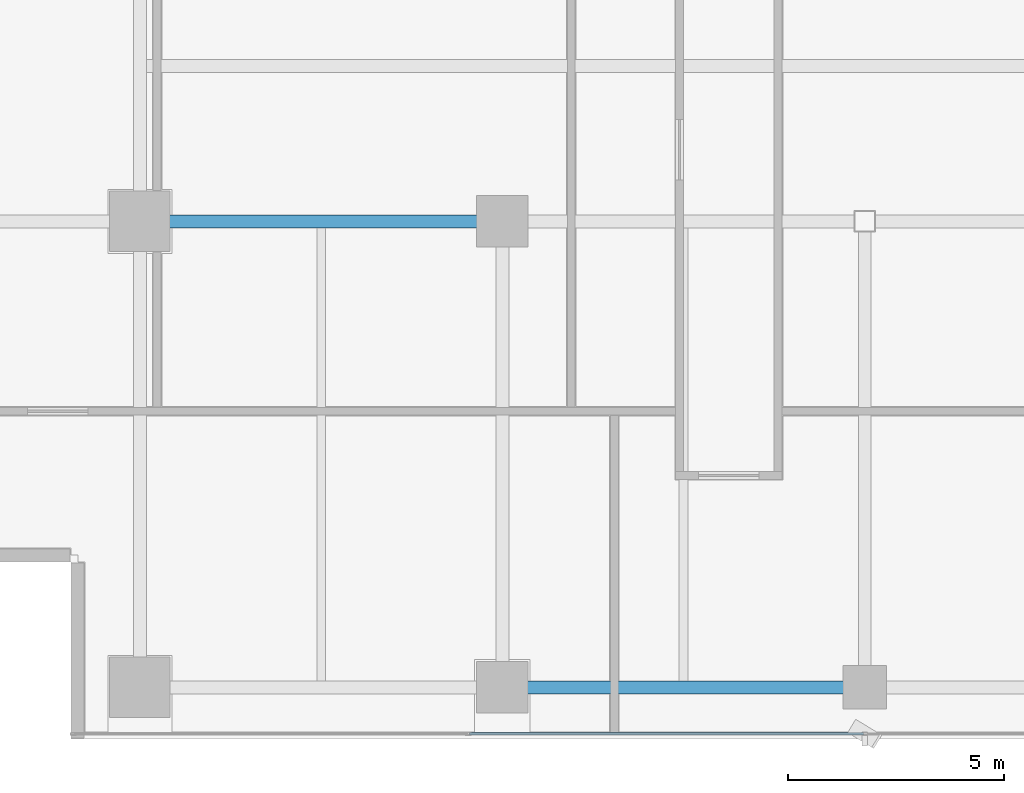
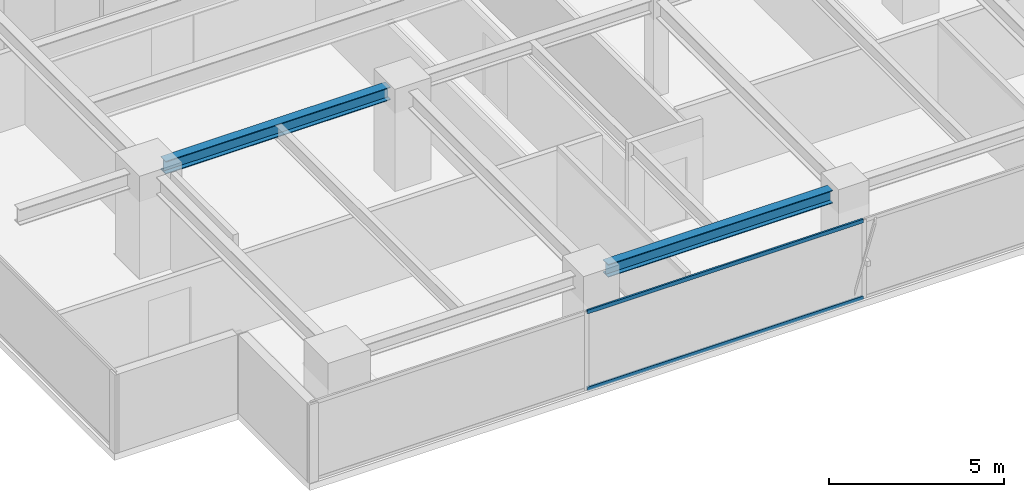
# One storey, part 5 of 25: 2 beams, 2 members, 1 element without a shape of its own.
"""IFC4 building model written with IfcOpenShell, lengths in metres."""

from ifc_helpers import new_model, si_unit, direction, frame, origin, origin_2d, place, context, subcontext, project, spatial, hollow_rectangle, i_section, extrude, source, transform, mapped, material, layer, layer_set, material_profile, profile_set, type_object, element, aggregate, save


model = new_model("IFC4")

# Units and contexts
model_context = context("Model", 3, precision=1e-05, world=origin(), true_north=direction((0.0, 1.0)))
body_context = subcontext(model_context, "Body", "Model", "MODEL_VIEW")
ifc_project = project(units=[si_unit("LENGTHUNIT", "METRE"), si_unit("AREAUNIT", "SQUARE_METRE"), si_unit("VOLUMEUNIT", "CUBIC_METRE"), si_unit("PLANEANGLEUNIT", "RADIAN"), si_unit("MASSUNIT", "GRAM", prefix="KILO")], contexts=[model_context])

# Site, building, storey
site_placement = place(None, origin())
site = spatial("IfcSite", under=ifc_project, at=site_placement, CompositionType="ELEMENT")
building_placement = place(site_placement, origin())
building = spatial("IfcBuilding", under=site, at=building_placement, Name="Sumidabori Civic Tower", CompositionType="ELEMENT")
storey_placement = place(building_placement, frame((0.0, 0.0, 268.39990234375)))
storey = spatial("IfcBuildingStorey", under=building, at=storey_placement, Name="L70", CompositionType="ELEMENT", Elevation=268.39990234375)

# Beams
ifc_material_1 = material(Name="Steel SN490", Category="steel")
ifc_material_profile_1 = material_profile(ifc_material_1, i_section(OverallWidth=0.300048828125, OverallDepth=0.449951171875, WebThickness=0.013916015625, FlangeThickness=0.02587890625, at=origin_2d()), Name="HE 450 B")
ifc_profile_set_1 = profile_set([ifc_material_profile_1], Name="Steel SN490")
beam_type = type_object("IfcBeamType", Name="BM-GIRD-450", PredefinedType="BEAM", material=ifc_profile_set_1)
shared_shape_1 = source(origin(), body_context, "Body", "SweptSolid", [
    extrude(i_section(OverallWidth=0.300048828125, OverallDepth=0.449951171875, WebThickness=0.013916015625, FlangeThickness=0.02587890625, at=origin_2d()), origin(), (0.0, 0.0, 1.0), 7.440185546875),
])
beam_1_placement = place(storey_placement, frame((-16.320068359375, 0.0, 3.14501953125), z_axis=(1.0, 0.0, 0.0), x_axis=(0.0, 1.0, 0.0)))
element("IfcBeam", 1, at=beam_1_placement, inside=storey, type_object=beam_type, Name="Primary Girder L70 GX-05", PredefinedType="BEAM", context=body_context, shape_type="MappedRepresentation", body=[
    mapped(shared_shape_1, transform((0.0, 0.0, 0.0), x_axis=(1.0, 0.0, 0.0), y_axis=(0.0, 1.0, 0.0), z_axis=(0.0, 0.0, 1.0), scale=1.0)),
])
shared_shape_2 = source(origin(), body_context, "Body", "SweptSolid", [
    extrude(i_section(OverallWidth=0.300048828125, OverallDepth=0.449951171875, WebThickness=0.013916015625, FlangeThickness=0.02587890625, at=origin_2d()), origin(), (0.0, 0.0, 1.0), 7.43994140625),
])
beam_2_placement = place(storey_placement, frame((-7.919921875, -10.800048828125, 3.14501953125), z_axis=(1.0, 0.0, 0.0), x_axis=(0.0, 1.0, 0.0)))
element("IfcBeam", 2, at=beam_2_placement, inside=storey, type_object=beam_type, Name="Primary Girder L70 GX-02", PredefinedType="BEAM", context=body_context, shape_type="MappedRepresentation", body=[
    mapped(shared_shape_2, transform((0.0, 0.0, 0.0), x_axis=(1.0, 0.0, 0.0), y_axis=(0.0, 1.0, 0.0), z_axis=(0.0, 0.0, 1.0), scale=1.0)),
])

# Curtain wall, members
ifc_material_2 = material(Name="Anodised Bronze Aluminium AW-6063-T6", Category="aluminium")
ifc_layer = layer(ifc_material_2, 0.179931640625, Name="Anodised Bronze Aluminium AW-6063-T6")
ifc_layer_set = layer_set([ifc_layer], Name="Anodised Bronze Aluminium AW-6063-T6")
curtain_wall_type = type_object("IfcCurtainWallType", Name="CW-SYS-5", PredefinedType="NOTDEFINED", material=ifc_layer_set)
curtain_wall_placement = place(storey_placement, origin())
curtain_wall = element("IfcCurtainWall", 3, at=curtain_wall_placement, inside=storey, type_object=curtain_wall_type, Name="Curtain Wall CW:L70:R01", PredefinedType="NOTDEFINED")
ifc_material_profile_2 = material_profile(ifc_material_2, hollow_rectangle(XDim=0.06005859375, YDim=0.1298828125, WallThickness=0.0048828125, at=origin_2d()), Name="ALU TRANSOM 130x60")
ifc_profile_set_2 = profile_set([ifc_material_profile_2], Name="Anodised Bronze Aluminium AW-6063-T6")
member_type = type_object("IfcMemberType", Name="CW-TRN-130", PredefinedType="USERDEFINED", material=ifc_profile_set_2)
shared_shape_3 = source(origin(), body_context, "Body", "SweptSolid", [
    extrude(hollow_rectangle(XDim=0.06005859375, YDim=0.1298828125, WallThickness=0.0048828125, at=origin_2d()), origin(), (0.0, 0.0, 1.0), 9.125),
])
member_1_placement = place(storey_placement, frame((-9.155029296875, -11.8798828125, 0.030029296875), z_axis=(1.0, 0.0, 0.0), x_axis=(0.0, 1.0, 0.0)))
member_1 = element("IfcMember", 4, at=member_1_placement, type_object=member_type, Name="CW-5 transom 2.1", ObjectType="TRANSOM", PredefinedType="USERDEFINED", context=body_context, shape_type="MappedRepresentation", body=[
    mapped(shared_shape_3, transform((0.0, 0.0, 0.0), x_axis=(1.0, 0.0, 0.0), y_axis=(0.0, 1.0, 0.0), z_axis=(0.0, 0.0, 1.0), scale=1.0)),
])
member_2_placement = place(storey_placement, frame((-9.155029296875, -11.8798828125, 2.72021484375), z_axis=(1.0, 0.0, 0.0), x_axis=(0.0, 1.0, 0.0)))
member_2 = element("IfcMember", 5, at=member_2_placement, type_object=member_type, Name="CW-5 transom 2.2", ObjectType="TRANSOM", PredefinedType="USERDEFINED", context=body_context, shape_type="MappedRepresentation", body=[
    mapped(shared_shape_3, transform((0.0, 0.0, 0.0), x_axis=(1.0, 0.0, 0.0), y_axis=(0.0, 1.0, 0.0), z_axis=(0.0, 0.0, 1.0), scale=1.0)),
])
aggregate(curtain_wall, [member_1, member_2])

save(model, "model.ifc")
